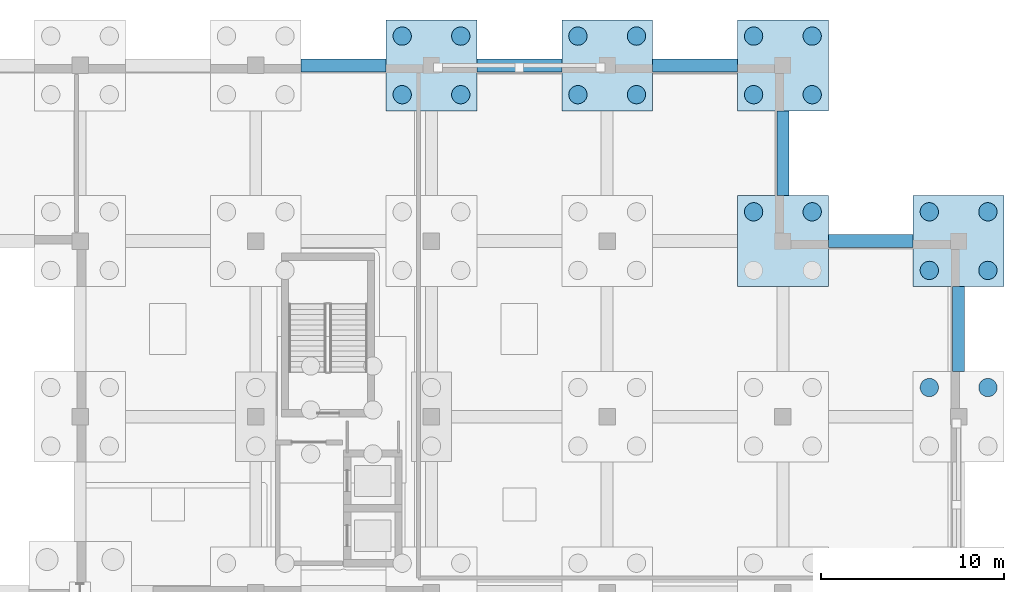
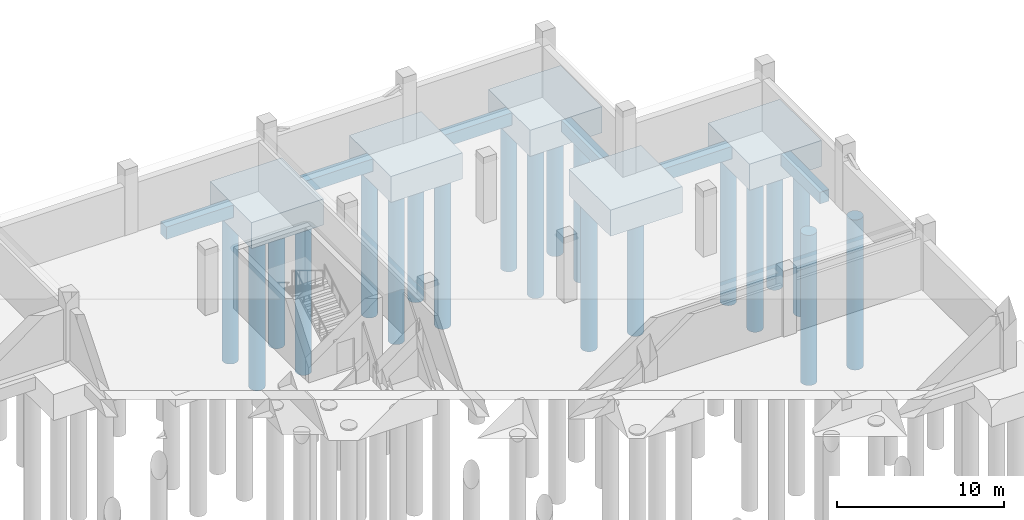
# One storey, part 12 of 67: 20 piles, 11 footings.
"""IFC4 building model written with IfcOpenShell, lengths in metres."""

from ifc_helpers import new_model, si_unit, direction, frame, origin, origin_2d, place, context, subcontext, project, spatial, polyline, rectangle, circle, outline, extrude, material, material_profile, profile_set, type_object, element, save


model = new_model("IFC4")

# Units and contexts
model_context = context("Model", 3, precision=1e-05, world=origin(), true_north=direction((0.0, 1.0)))
body_context = subcontext(model_context, "Body", "Model", "MODEL_VIEW")
ifc_project = project(units=[si_unit("LENGTHUNIT", "METRE"), si_unit("AREAUNIT", "SQUARE_METRE"), si_unit("VOLUMEUNIT", "CUBIC_METRE"), si_unit("PLANEANGLEUNIT", "RADIAN"), si_unit("MASSUNIT", "GRAM", prefix="KILO")], contexts=[model_context])

# Site, building, storey
site_placement = place(None, origin())
site = spatial("IfcSite", under=ifc_project, at=site_placement, CompositionType="ELEMENT")
building_placement = place(site_placement, origin())
building = spatial("IfcBuilding", under=site, at=building_placement, Name="Caelomonte Colonnade Arena", CompositionType="ELEMENT")
storey_placement = place(building_placement, frame((0.0, 0.0, -4.800048828125)))
storey = spatial("IfcBuildingStorey", under=building, at=storey_placement, Name="B1", CompositionType="ELEMENT", Elevation=-4.800048828125)

# Footings
ifc_material = material(Name="Concrete C40/50", Category="concrete")
footing_type_1 = type_object("IfcFootingType", Name="STR-FB-GB02", PredefinedType="FOOTING_BEAM", material=ifc_material)
footing_1_placement = place(storey_placement, frame((0.0, 0.0, -1.349853515625)))
element("IfcFooting", 1, at=footing_1_placement, inside=storey, type_object=footing_type_1, Name="Ground tie beam X (182.4..192.0, Y=134.4)", PredefinedType="FOOTING_BEAM", context=body_context, shape_type="SweptSolid", body=[
    extrude(outline(polyline([(184.8798828125, 134.050048828125), (189.52001953125, 134.050048828125), (189.52001953125, 134.75), (184.8798828125, 134.75), (184.8798828125, 134.050048828125)])), origin(), (0.0, 0.0, 1.0), 0.89990234375),
])
footing_2_placement = place(storey_placement, frame((0.0, 0.0, -1.349853515625)))
element("IfcFooting", 2, at=footing_2_placement, inside=storey, type_object=footing_type_1, Name="Ground tie beam X (153.6..163.2, Y=144.0)", PredefinedType="FOOTING_BEAM", context=body_context, shape_type="SweptSolid", body=[
    extrude(outline(polyline([(156.080078125, 143.64990234375), (160.719970703125, 143.64990234375), (160.719970703125, 144.35009765625), (156.080078125, 144.35009765625), (156.080078125, 143.64990234375)])), origin(), (0.0, 0.0, 1.0), 0.89990234375),
])
footing_3_placement = place(storey_placement, frame((0.0, 0.0, -1.349853515625)))
element("IfcFooting", 3, at=footing_3_placement, inside=storey, type_object=footing_type_1, Name="Ground tie beam X (163.2..172.8, Y=144.0)", PredefinedType="FOOTING_BEAM", context=body_context, shape_type="SweptSolid", body=[
    extrude(outline(polyline([(165.679931640625, 143.64990234375), (170.320068359375, 143.64990234375), (170.320068359375, 144.35009765625), (165.679931640625, 144.35009765625), (165.679931640625, 143.64990234375)])), origin(), (0.0, 0.0, 1.0), 0.89990234375),
])
footing_4_placement = place(storey_placement, frame((0.0, 0.0, -1.349853515625)))
element("IfcFooting", 4, at=footing_4_placement, inside=storey, type_object=footing_type_1, Name="Ground tie beam X (172.8..182.4, Y=144.0)", PredefinedType="FOOTING_BEAM", context=body_context, shape_type="SweptSolid", body=[
    extrude(outline(polyline([(175.280029296875, 143.64990234375), (179.919921875, 143.64990234375), (179.919921875, 144.35009765625), (175.280029296875, 144.35009765625), (175.280029296875, 143.64990234375)])), origin(), (0.0, 0.0, 1.0), 0.89990234375),
])
footing_type_2 = type_object("IfcFootingType", Name="STR-FB-GB03", PredefinedType="FOOTING_BEAM", material=ifc_material)
footing_5_placement = place(storey_placement, frame((0.0, 0.0, -1.300048828125)))
element("IfcFooting", 5, at=footing_5_placement, inside=storey, type_object=footing_type_2, Name="Ground tie beam Y (X=182.4, 134.4..144.0)", PredefinedType="FOOTING_BEAM", context=body_context, shape_type="SweptSolid", body=[
    extrude(outline(polyline([(182.074951171875, 136.8798828125), (182.72509765625, 136.8798828125), (182.72509765625, 141.52001953125), (182.074951171875, 141.52001953125), (182.074951171875, 136.8798828125)])), origin(), (0.0, 0.0, 1.0), 0.85009765625),
])
footing_6_placement = place(storey_placement, frame((0.0, 0.0, -1.300048828125)))
element("IfcFooting", 6, at=footing_6_placement, inside=storey, type_object=footing_type_2, Name="Ground tie beam Y (X=192.0, 124.8..134.4)", PredefinedType="FOOTING_BEAM", context=body_context, shape_type="SweptSolid", body=[
    extrude(outline(polyline([(191.675048828125, 127.280029296875), (192.324951171875, 127.280029296875), (192.324951171875, 131.919921875), (191.675048828125, 131.919921875), (191.675048828125, 127.280029296875)])), origin(), (0.0, 0.0, 1.0), 0.85009765625),
])
footing_type_3 = type_object("IfcFootingType", Name="STR-FC-PC03", PredefinedType="PILE_CAP", material=ifc_material)
for number, where, z_axis, x_axis, name in (
    (7, (163.199951171875, 144.0, -2.349853515625), (0.0, 0.0, 1.0), (1.0, 0.0, 0.0), "Pile cap FC-1632-1440"),
    (8, (172.800048828125, 144.0, -2.349853515625), (0.0, 0.0, 1.0), (1.0, 0.0, 0.0), "Pile cap FC-1728-1440"),
    (9, (182.39990234375, 134.39990234375, -2.349853515625), (0.0, 0.0, 1.0), (1.0, 0.0, 0.0), "Pile cap FC-1824-1344"),
    (10, (182.39990234375, 144.0, -2.349853515625), (0.0, 0.0, 1.0), (1.0, 0.0, 0.0), "Pile cap FC-1824-1440"),
    (11, (192.0, 134.39990234375, -2.349853515625), (0.0, 0.0, 1.0), (1.0, 0.0, 0.0), "Pile cap FC-1920-1344"),
):
    element("IfcFooting", number, at=place(storey_placement, frame(where, z_axis=z_axis, x_axis=x_axis)), inside=storey, type_object=footing_type_3, Name=name, PredefinedType="PILE_CAP", context=body_context, shape_type="SweptSolid", body=[
        extrude(rectangle(XDim=4.9599609375, YDim=4.9599609375, at=origin_2d()), origin(), (0.0, 0.0, 1.0), 1.89990234375),
    ])

# Piles
ifc_material_profile = material_profile(ifc_material, circle(Radius=0.5, at=origin_2d()), Name="PILE-D1000")
ifc_profile_set = profile_set([ifc_material_profile], Name="Concrete C40/50")
pile_type = type_object("IfcPileType", Name="STR-PL-D1000", PredefinedType="BORED", material=ifc_profile_set)
for number, where, z_axis, x_axis, name in (
    (12, (161.60009765625, 142.39990234375, -2.25), (0.0, 0.0, -1.0), (1.0, 0.0, 0.0), "Rock-socketed bored pile FC-1632-1440-1"),
    (13, (164.800048828125, 142.39990234375, -2.25), (0.0, 0.0, -1.0), (1.0, 0.0, 0.0), "Rock-socketed bored pile FC-1632-1440-2"),
    (14, (161.60009765625, 145.60009765625, -2.25), (0.0, 0.0, -1.0), (1.0, 0.0, 0.0), "Rock-socketed bored pile FC-1632-1440-3"),
    (15, (164.800048828125, 145.60009765625, -2.25), (0.0, 0.0, -1.0), (1.0, 0.0, 0.0), "Rock-socketed bored pile FC-1632-1440-4"),
    (16, (171.199951171875, 142.39990234375, -2.25), (0.0, 0.0, -1.0), (1.0, 0.0, 0.0), "Rock-socketed bored pile FC-1728-1440-1"),
    (17, (174.39990234375, 142.39990234375, -2.25), (0.0, 0.0, -1.0), (1.0, 0.0, 0.0), "Rock-socketed bored pile FC-1728-1440-2"),
    (18, (171.199951171875, 145.60009765625, -2.25), (0.0, 0.0, -1.0), (1.0, 0.0, 0.0), "Rock-socketed bored pile FC-1728-1440-3"),
    (19, (174.39990234375, 145.60009765625, -2.25), (0.0, 0.0, -1.0), (1.0, 0.0, 0.0), "Rock-socketed bored pile FC-1728-1440-4"),
    (20, (180.800048828125, 136.0, -2.25), (0.0, 0.0, -1.0), (1.0, 0.0, 0.0), "Rock-socketed bored pile FC-1824-1344-3"),
    (21, (184.0, 136.0, -2.25), (0.0, 0.0, -1.0), (1.0, 0.0, 0.0), "Rock-socketed bored pile FC-1824-1344-4"),
    (22, (180.800048828125, 142.39990234375, -2.25), (0.0, 0.0, -1.0), (1.0, 0.0, 0.0), "Rock-socketed bored pile FC-1824-1440-1"),
    (23, (184.0, 142.39990234375, -2.25), (0.0, 0.0, -1.0), (1.0, 0.0, 0.0), "Rock-socketed bored pile FC-1824-1440-2"),
    (24, (180.800048828125, 145.60009765625, -2.25), (0.0, 0.0, -1.0), (1.0, 0.0, 0.0), "Rock-socketed bored pile FC-1824-1440-3"),
    (25, (184.0, 145.60009765625, -2.25), (0.0, 0.0, -1.0), (1.0, 0.0, 0.0), "Rock-socketed bored pile FC-1824-1440-4"),
    (26, (190.39990234375, 126.39990234375, -2.25), (0.0, 0.0, -1.0), (1.0, 0.0, 0.0), "Rock-socketed bored pile FC-1920-1248-3"),
    (27, (193.60009765625, 126.39990234375, -2.25), (0.0, 0.0, -1.0), (1.0, 0.0, 0.0), "Rock-socketed bored pile FC-1920-1248-4"),
    (28, (190.39990234375, 132.800048828125, -2.25), (0.0, 0.0, -1.0), (1.0, 0.0, 0.0), "Rock-socketed bored pile FC-1920-1344-1"),
    (29, (193.60009765625, 132.800048828125, -2.25), (0.0, 0.0, -1.0), (1.0, 0.0, 0.0), "Rock-socketed bored pile FC-1920-1344-2"),
    (30, (190.39990234375, 136.0, -2.25), (0.0, 0.0, -1.0), (1.0, 0.0, 0.0), "Rock-socketed bored pile FC-1920-1344-3"),
    (31, (193.60009765625, 136.0, -2.25), (0.0, 0.0, -1.0), (1.0, 0.0, 0.0), "Rock-socketed bored pile FC-1920-1344-4"),
):
    element("IfcPile", number, at=place(storey_placement, frame(where, z_axis=z_axis, x_axis=x_axis)), inside=storey, type_object=pile_type, Name=name, PredefinedType="BORED", context=body_context, shape_type="SweptSolid", body=[
        extrude(circle(Radius=0.5, at=origin_2d()), origin(), (0.0, 0.0, 1.0), 10.949951171875),
    ])

save(model, "model.ifc")
